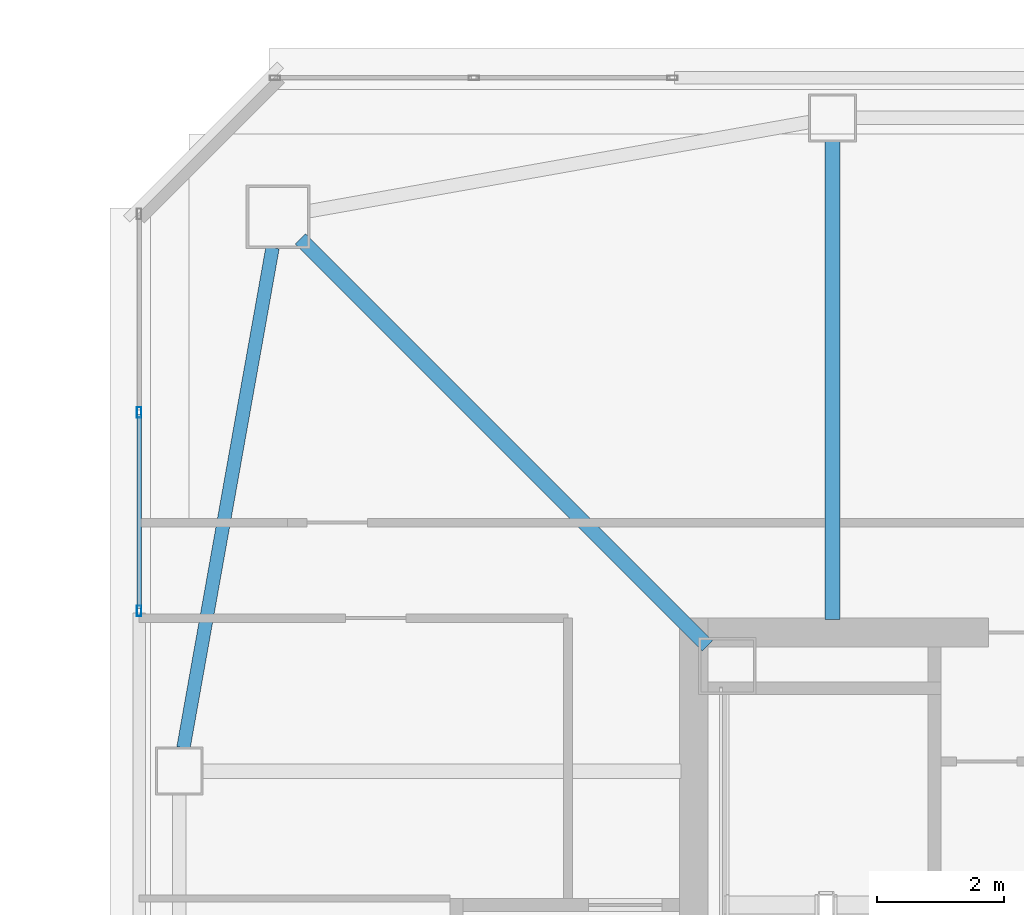
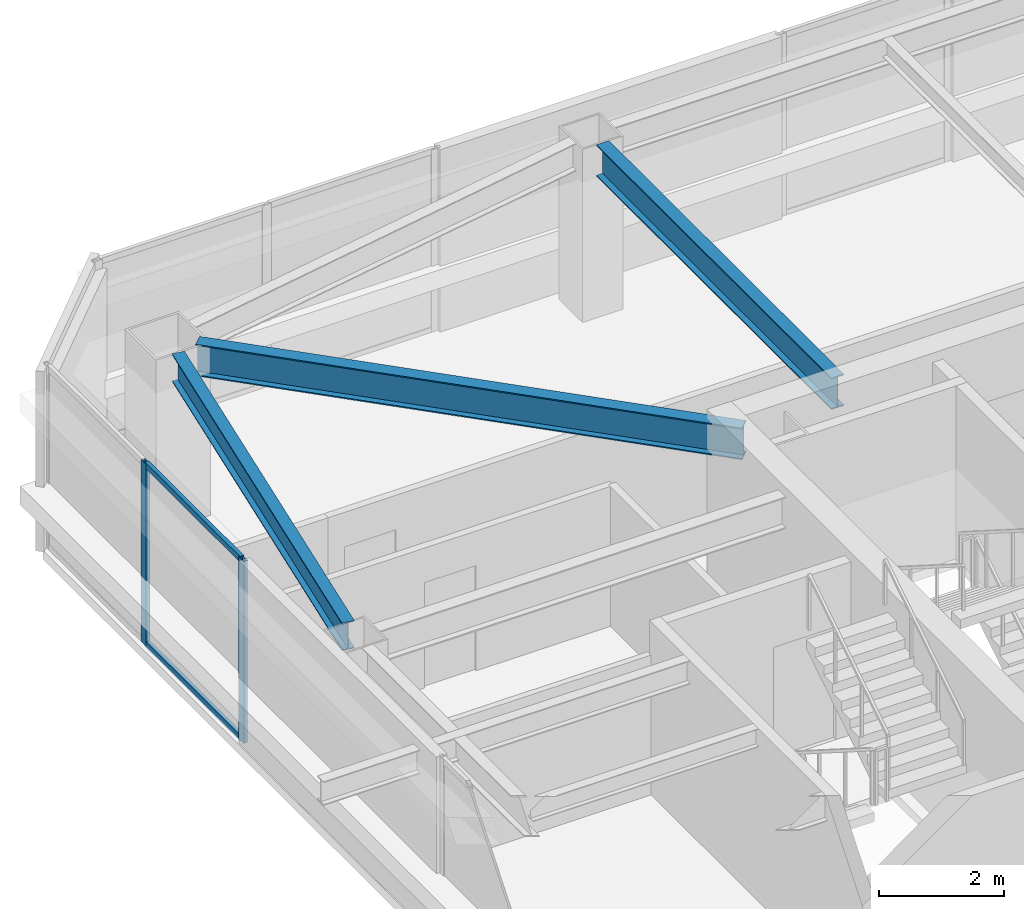
# One storey, part 10 of 44: 4 members, 3 beams, 1 element without a shape of its own.
"""IFC4 building model written with IfcOpenShell, lengths in metres."""

from ifc_helpers import new_model, si_unit, direction, frame, origin, origin_2d, place, context, subcontext, project, spatial, hollow_rectangle, i_section, extrude, material, material_profile, profile_set, type_object, element, aggregate, save


model = new_model("IFC4")

# Units and contexts
model_context = context("Model", 3, precision=1e-05, world=origin(), true_north=direction((0.0, 1.0)))
body_context = subcontext(model_context, "Body", "Model", "MODEL_VIEW")
ifc_project = project(units=[si_unit("LENGTHUNIT", "METRE"), si_unit("AREAUNIT", "SQUARE_METRE"), si_unit("VOLUMEUNIT", "CUBIC_METRE"), si_unit("PLANEANGLEUNIT", "RADIAN"), si_unit("MASSUNIT", "GRAM", prefix="KILO")], contexts=[model_context])

# Site, building, storey
site_placement = place(None, origin())
site = spatial("IfcSite", under=ifc_project, at=site_placement, CompositionType="ELEMENT")
building_placement = place(site_placement, origin())
building = spatial("IfcBuilding", under=site, at=building_placement, Name="Tashvorn Skyway Center", CompositionType="ELEMENT")
storey_placement = place(building_placement, frame((0.0, 0.0, 211.300048828125)))
storey = spatial("IfcBuildingStorey", under=building, at=storey_placement, Name="L57", CompositionType="ELEMENT", Elevation=211.300048828125)

# Beams
ifc_material_1 = material(Name="Steel ASTM A992 Grade 50", Category="steel")
ifc_material_profile_1 = material_profile(ifc_material_1, i_section(OverallWidth=0.22998046875, OverallDepth=0.616943359375, WebThickness=0.01318359375, FlangeThickness=0.022216796875, at=origin_2d()), Name="W24X94")
ifc_profile_set_1 = profile_set([ifc_material_profile_1], Name="Steel ASTM A992 Grade 50")
beam_type_1 = type_object("IfcBeamType", Name="BM-BEAM-W24X94", PredefinedType="BEAM", material=ifc_profile_set_1)
beam_1_placement = place(storey_placement, frame((28.25, 45.75, 3.0615234375), z_axis=(0.707106781187, -0.707106781187, 0.0), x_axis=(0.707106781187, 0.707106781187, 0.0)))
element("IfcBeam", 1, at=beam_1_placement, inside=storey, type_object=beam_type_1, Name="Tower 1 L57 Primary Floor Girder MC-NW", PredefinedType="BEAM", context=body_context, shape_type="SweptSolid", body=[
    extrude(i_section(OverallWidth=0.22998046875, OverallDepth=0.616943359375, WebThickness=0.01318359375, FlangeThickness=0.022216796875, at=origin_2d()), origin(), (0.0, 0.0, 1.0), 9.030029296875),
])
beam_2_placement = place(storey_placement, frame((36.60009765625, 47.280029296875, 3.0615234375), z_axis=(0.0, -1.0, 0.0), x_axis=(1.0, 0.0, 0.0)))
element("IfcBeam", 2, at=beam_2_placement, inside=storey, type_object=beam_type_1, Name="Tower 1 L57 Primary Floor Girder FC-N2", PredefinedType="BEAM", context=body_context, shape_type="SweptSolid", body=[
    extrude(i_section(OverallWidth=0.22998046875, OverallDepth=0.616943359375, WebThickness=0.01318359375, FlangeThickness=0.022216796875, at=origin_2d()), origin(), (0.0, 0.0, 1.0), 7.5),
])
ifc_material_profile_2 = material_profile(ifc_material_1, i_section(OverallWidth=0.2109375, OverallDepth=0.5390625, WebThickness=0.01171875, FlangeThickness=0.018798828125, at=origin_2d()), Name="W21X73")
ifc_profile_set_2 = profile_set([ifc_material_profile_2], Name="Steel ASTM A992 Grade 50")
beam_type_2 = type_object("IfcBeamType", Name="BM-SPANDREL-W21X73", PredefinedType="SPANDREL", material=ifc_profile_set_2)
beam_3_placement = place(storey_placement, frame((27.813232421875, 45.61279296875, 3.100341796875), z_axis=(-0.17541329759, -0.984494883191, 0.0), x_axis=(0.984494883191, -0.17541329759, 0.0)))
element("IfcBeam", 3, at=beam_3_placement, inside=storey, type_object=beam_type_2, Name="Tower 1 L57 Spandrel Beam 10", PredefinedType="SPANDREL", context=body_context, shape_type="SweptSolid", body=[
    extrude(i_section(OverallWidth=0.2109375, OverallDepth=0.5390625, WebThickness=0.01171875, FlangeThickness=0.018798828125, at=origin_2d()), origin(), (0.0, 0.0, 1.0), 7.97216796875),
])

# Curtain wall, members
ifc_material_2 = material(Name="Thermally broken bronze-anodized aluminium 6063-T6", Category="aluminium")
curtain_wall_type = type_object("IfcCurtainWallType", Name="CW-CW-Z5", PredefinedType="NOTDEFINED", material=ifc_material_2)
curtain_wall_placement = place(storey_placement, origin())
curtain_wall = element("IfcCurtainWall", 4, at=curtain_wall_placement, inside=storey, type_object=curtain_wall_type, Name="Tower 1 L57 West Unitised Curtain Wall Glazing Group 3", PredefinedType="NOTDEFINED")
ifc_material_profile_3 = material_profile(ifc_material_2, hollow_rectangle(XDim=0.070068359375, YDim=0.1650390625, WallThickness=0.00390625, at=origin_2d()), Name="ALU-MULL-70x165")
ifc_profile_set_3 = profile_set([ifc_material_profile_3], Name="Thermally broken bronze-anodized aluminium 6063-T6")
member_type_1 = type_object("IfcMemberType", Name="CWM-CW-Z5", PredefinedType="MULLION", material=ifc_profile_set_3)
member_1_placement = place(storey_placement, frame((25.719970703125, 39.912841796875, 0.0), z_axis=(0.0, 0.0, 1.0), x_axis=(-1.0, 0.0, 0.0)))
member_1 = element("IfcMember", 5, at=member_1_placement, type_object=member_type_1, Name="CW-Z5 mullion 1", PredefinedType="MULLION", context=body_context, shape_type="SweptSolid", body=[
    extrude(hollow_rectangle(XDim=0.070068359375, YDim=0.1650390625, WallThickness=0.00390625, at=origin_2d()), origin(), (0.0, 0.0, 1.0), 3.550048828125),
])
member_2_placement = place(storey_placement, frame((25.719970703125, 43.02880859375, 0.0), z_axis=(0.0, 0.0, 1.0), x_axis=(-1.0, 0.0, 0.0)))
member_2 = element("IfcMember", 6, at=member_2_placement, type_object=member_type_1, Name="CW-Z5 mullion 2", PredefinedType="MULLION", context=body_context, shape_type="SweptSolid", body=[
    extrude(hollow_rectangle(XDim=0.070068359375, YDim=0.1650390625, WallThickness=0.00390625, at=origin_2d()), origin(), (0.0, 0.0, 1.0), 3.550048828125),
])
ifc_material_profile_4 = material_profile(ifc_material_2, hollow_rectangle(XDim=0.070068359375, YDim=0.114990234375, WallThickness=0.00390625, at=origin_2d()), Name="ALU-TRAN-70x115")
ifc_profile_set_4 = profile_set([ifc_material_profile_4], Name="Thermally broken bronze-anodized aluminium 6063-T6")
member_type_2 = type_object("IfcMemberType", Name="CWT-CW-Z5", PredefinedType="USERDEFINED", material=ifc_profile_set_4)
member_3_placement = place(storey_placement, frame((25.719970703125, 39.94775390625, 0.034912109375), z_axis=(0.0, 1.0, 0.0), x_axis=(-1.0, 0.0, 0.0)))
member_3 = element("IfcMember", 7, at=member_3_placement, type_object=member_type_2, Name="CW-Z5 transom 1.1", ObjectType="TRANSOM", PredefinedType="USERDEFINED", context=body_context, shape_type="SweptSolid", body=[
    extrude(hollow_rectangle(XDim=0.070068359375, YDim=0.114990234375, WallThickness=0.00390625, at=origin_2d()), origin(), (0.0, 0.0, 1.0), 3.046142578125),
])
member_4_placement = place(storey_placement, frame((25.719970703125, 39.94775390625, 3.514892578125), z_axis=(0.0, 1.0, 0.0), x_axis=(-1.0, 0.0, 0.0)))
member_4 = element("IfcMember", 8, at=member_4_placement, type_object=member_type_2, Name="CW-Z5 transom 1.2", ObjectType="TRANSOM", PredefinedType="USERDEFINED", context=body_context, shape_type="SweptSolid", body=[
    extrude(hollow_rectangle(XDim=0.070068359375, YDim=0.114990234375, WallThickness=0.00390625, at=origin_2d()), origin(), (0.0, 0.0, 1.0), 3.046142578125),
])
aggregate(curtain_wall, [member_1, member_2, member_3, member_4])

save(model, "model.ifc")
